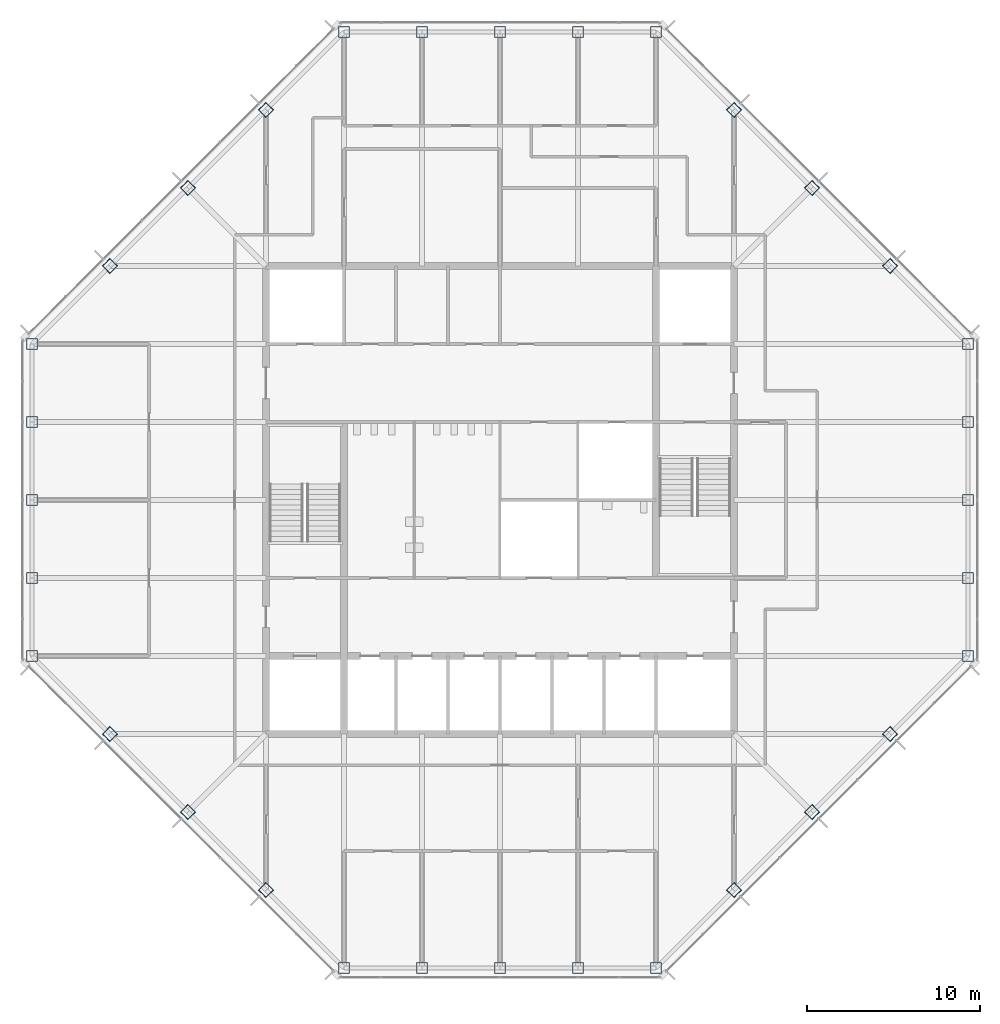
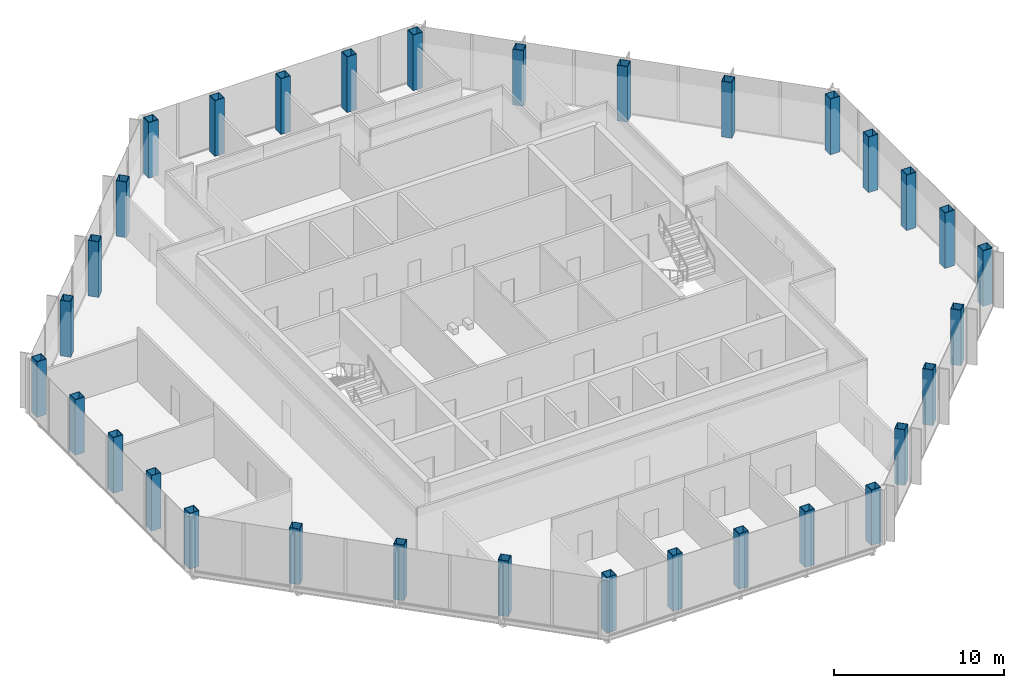
# One storey, part 1 of 14: 32 columns.
"""IFC4 building model written with IfcOpenShell, lengths in metres."""

from ifc_helpers import new_model, si_unit, direction, frame, origin, origin_2d, place, context, subcontext, project, spatial, hollow_rectangle, extrude, material, material_profile, profile_set, type_object, element, save


model = new_model("IFC4")

# Units and contexts
model_context = context("Model", 3, precision=1e-05, world=origin(), true_north=direction((0.0, 1.0)))
body_context = subcontext(model_context, "Body", "Model", "MODEL_VIEW")
ifc_project = project(units=[si_unit("LENGTHUNIT", "METRE"), si_unit("AREAUNIT", "SQUARE_METRE"), si_unit("VOLUMEUNIT", "CUBIC_METRE"), si_unit("PLANEANGLEUNIT", "RADIAN"), si_unit("MASSUNIT", "GRAM", prefix="KILO")], contexts=[model_context])

# Site, building, storey
site_placement = place(None, origin())
site = spatial("IfcSite", under=ifc_project, at=site_placement, CompositionType="ELEMENT")
building_placement = place(site_placement, origin())
building = spatial("IfcBuilding", under=site, at=building_placement, Name="Corais Broadcast Tower", CompositionType="ELEMENT")
storey_placement = place(building_placement, frame((0.0, 0.0, 258.60009765625)))
storey = spatial("IfcBuildingStorey", under=building, at=storey_placement, Name="L60", CompositionType="ELEMENT", Elevation=258.60009765625)

# Columns
ifc_material = material(Name="Steel ASTM A572 Grade 50", Category="steel")
ifc_material_profile = material_profile(ifc_material, hollow_rectangle(XDim=0.64990234375, YDim=0.64990234375, WallThickness=0.031982421875, at=origin_2d()), Name="BOX 650x650x32")
ifc_profile_set = profile_set([ifc_material_profile], Name="Steel ASTM A572 Grade 50")
column_type = type_object("IfcColumnType", Name="Column BOX 650x650x32", PredefinedType="COLUMN", material=ifc_profile_set)
for number, where, z_axis, x_axis, name in (
    (1, (18.0, 0.0, 0.0), (0.0, 0.0, 1.0), (1.0, 0.0, 0.0), "C6 A/7"),
    (2, (22.5, 0.0, 0.0), (0.0, 0.0, 1.0), (1.0, 0.0, 0.0), "C6 A/8"),
    (3, (27.0, 0.0, 0.0), (0.0, 0.0, 1.0), (1.0, 0.0, 0.0), "C6 A/9"),
    (4, (31.5, 0.0, 0.0), (0.0, 0.0, 1.0), (1.0, 0.0, 0.0), "C6 A/10"),
    (5, (36.0, 0.0, 0.0), (0.0, 0.0, 1.0), (1.0, 0.0, 0.0), "C6 A/11"),
    (6, (54.0, 18.0, 0.0), (0.0, 0.0, 1.0), (1.0, 0.0, 0.0), "C6 E/15"),
    (7, (54.0, 22.5, 0.0), (0.0, 0.0, 1.0), (1.0, 0.0, 0.0), "C6 F/15"),
    (8, (54.0, 27.0, 0.0), (0.0, 0.0, 1.0), (1.0, 0.0, 0.0), "C6 G/15"),
    (9, (54.0, 31.5, 0.0), (0.0, 0.0, 1.0), (1.0, 0.0, 0.0), "C6 H/15"),
    (10, (54.0, 36.0, 0.0), (0.0, 0.0, 1.0), (1.0, 0.0, 0.0), "C6 J/15"),
    (11, (36.0, 54.0, 0.0), (0.0, 0.0, 1.0), (1.0, 0.0, 0.0), "C6 N/11"),
    (12, (31.5, 54.0, 0.0), (0.0, 0.0, 1.0), (1.0, 0.0, 0.0), "C6 N/10"),
    (13, (27.0, 54.0, 0.0), (0.0, 0.0, 1.0), (1.0, 0.0, 0.0), "C6 N/9"),
    (14, (22.5, 54.0, 0.0), (0.0, 0.0, 1.0), (1.0, 0.0, 0.0), "C6 N/8"),
    (15, (18.0, 54.0, 0.0), (0.0, 0.0, 1.0), (1.0, 0.0, 0.0), "C6 N/7"),
    (16, (0.0, 36.0, 0.0), (0.0, 0.0, 1.0), (1.0, 0.0, 0.0), "C6 J/3"),
    (17, (0.0, 31.5, 0.0), (0.0, 0.0, 1.0), (1.0, 0.0, 0.0), "C6 H/3"),
    (18, (0.0, 27.0, 0.0), (0.0, 0.0, 1.0), (1.0, 0.0, 0.0), "C6 G/3"),
    (19, (0.0, 22.5, 0.0), (0.0, 0.0, 1.0), (1.0, 0.0, 0.0), "C6 F/3"),
    (20, (0.0, 18.0, 0.0), (0.0, 0.0, 1.0), (1.0, 0.0, 0.0), "C6 E/3"),
    (21, (13.5, 4.5, 0.0), (0.0, 0.0, 1.0), (0.707106781187, 0.707106781187, 0.0), "C6 B/6"),
    (22, (9.0, 9.0, 0.0), (0.0, 0.0, 1.0), (0.707106781187, 0.707106781187, 0.0), "C6 C/5"),
    (23, (4.5, 13.5, 0.0), (0.0, 0.0, 1.0), (0.707106781187, 0.707106781187, 0.0), "C6 D/4"),
    (24, (40.5, 4.5, 0.0), (0.0, 0.0, 1.0), (0.707106781187, 0.707106781187, 0.0), "C6 B/12"),
    (25, (45.0, 9.0, 0.0), (0.0, 0.0, 1.0), (0.707106781187, 0.707106781187, 0.0), "C6 C/13"),
    (26, (49.5, 13.5, 0.0), (0.0, 0.0, 1.0), (0.707106781187, 0.707106781187, 0.0), "C6 D/14"),
    (27, (49.5, 40.5, 0.0), (0.0, 0.0, 1.0), (0.707106781187, 0.707106781187, 0.0), "C6 K/14"),
    (28, (45.0, 45.0, 0.0), (0.0, 0.0, 1.0), (0.707106781187, 0.707106781187, 0.0), "C6 L/13"),
    (29, (40.5, 49.5, 0.0), (0.0, 0.0, 1.0), (0.707106781187, 0.707106781187, 0.0), "C6 M/12"),
    (30, (4.5, 40.5, 0.0), (0.0, 0.0, 1.0), (0.707106781187, 0.707106781187, 0.0), "C6 K/4"),
    (31, (9.0, 45.0, 0.0), (0.0, 0.0, 1.0), (0.707106781187, 0.707106781187, 0.0), "C6 L/5"),
    (32, (13.5, 49.5, 0.0), (0.0, 0.0, 1.0), (0.707106781187, 0.707106781187, 0.0), "C6 M/6"),
):
    element("IfcColumn", number, at=place(storey_placement, frame(where, z_axis=z_axis, x_axis=x_axis)), inside=storey, type_object=column_type, Name=name, PredefinedType="COLUMN", context=body_context, shape_type="SweptSolid", body=[
        extrude(hollow_rectangle(XDim=0.64990234375, YDim=0.64990234375, WallThickness=0.031982421875, at=origin_2d()), origin(), (0.0, 0.0, 1.0), 4.0),
    ])

save(model, "model.ifc")
